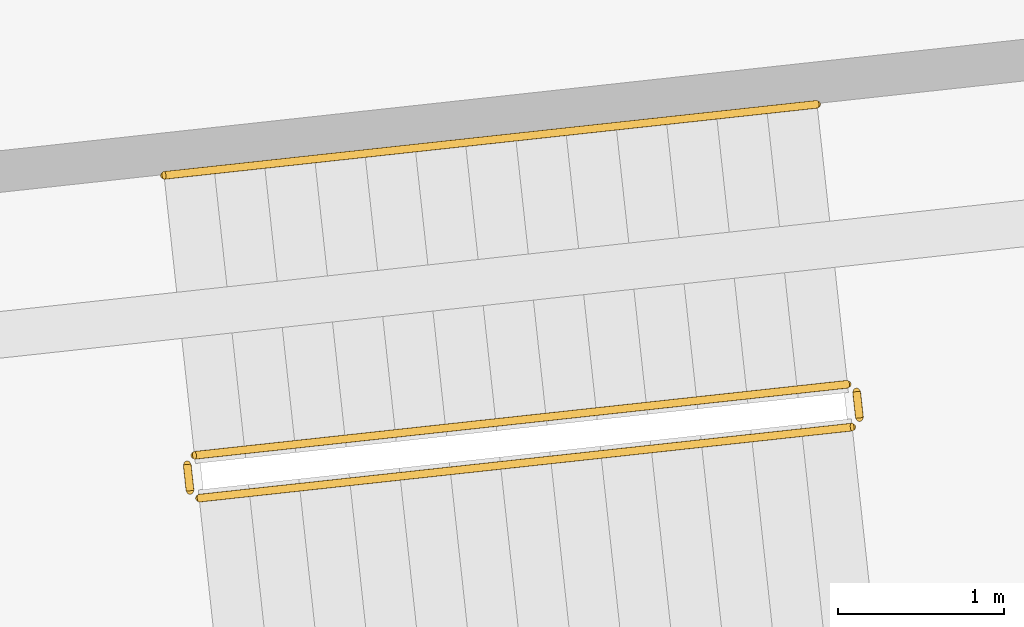
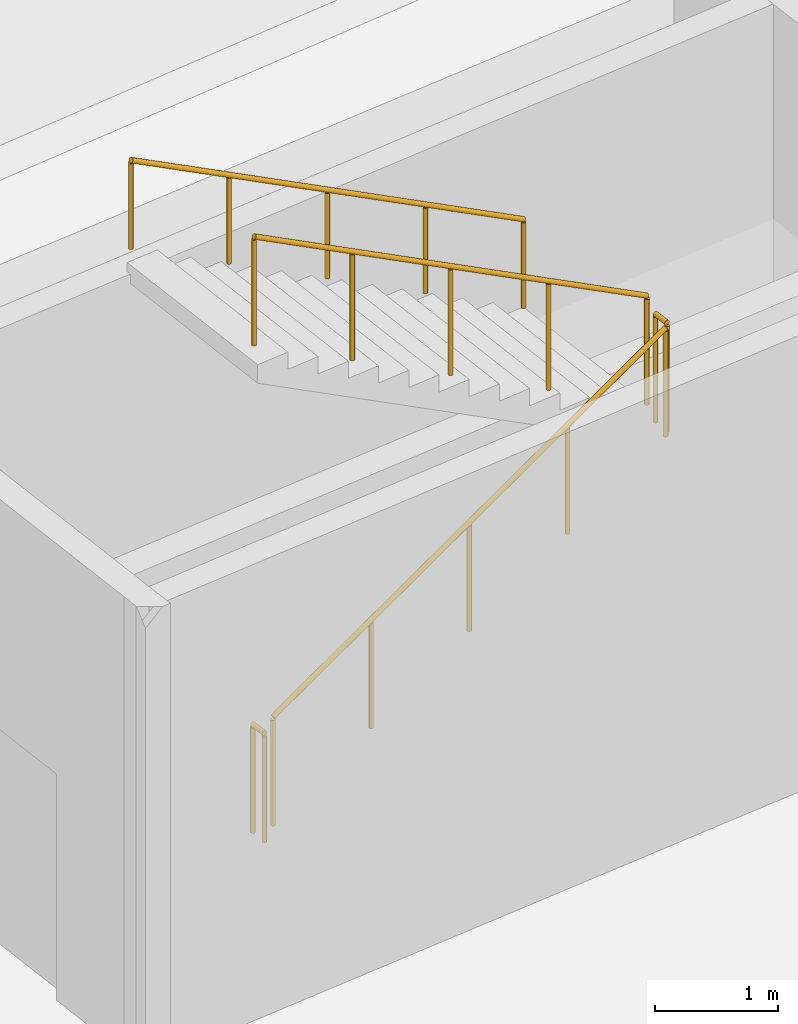
# One storey, part 118 of 152: 5 railings.
"""IFC4 building model written with IfcOpenShell, lengths in metres."""

from ifc_helpers import new_model, si_unit, direction, frame, origin, origin_2d, place, context, subcontext, project, spatial, circle, extrude, material, type_object, element, save


model = new_model("IFC4")

# Units and contexts
model_context = context("Model", 3, precision=1e-05, world=origin(), true_north=direction((0.0, 1.0)))
body_context = subcontext(model_context, "Body", "Model", "MODEL_VIEW")
ifc_project = project(units=[si_unit("LENGTHUNIT", "METRE"), si_unit("AREAUNIT", "SQUARE_METRE"), si_unit("VOLUMEUNIT", "CUBIC_METRE"), si_unit("PLANEANGLEUNIT", "RADIAN"), si_unit("MASSUNIT", "GRAM", prefix="KILO")], contexts=[model_context])

# Site, building, storey
site_placement = place(None, origin())
site = spatial("IfcSite", under=ifc_project, at=site_placement, CompositionType="ELEMENT")
building_placement = place(site_placement, origin())
building = spatial("IfcBuilding", under=site, at=building_placement, Name="Zevraka Park Crest Stadium", CompositionType="ELEMENT")
storey_placement = place(building_placement, frame((0.0, 0.0, 15.0)))
storey = spatial("IfcBuildingStorey", under=building, at=storey_placement, Name="L03", CompositionType="ELEMENT", Elevation=15.0)

# Railings
ifc_material_1 = material(Name="Powder-coated tubular steel stairwell guard", Category="steel")
railing_type_1 = type_object("IfcRailingType", Name="GR03", PredefinedType="GUARDRAIL", material=ifc_material_1)
railing_1_placement = place(storey_placement, frame((116.932861328125, 20.80615234375, 0.17138671875)))
element("IfcRailing", 1, at=railing_1_placement, inside=storey, type_object=railing_type_1, Name="L03 ST19 stair guard 1", PredefinedType="GUARDRAIL", context=body_context, shape_type="SweptSolid", body=[
    extrude(circle(Radius=0.02392578125, at=origin_2d()), frame((0.0, 0.0, 1.076171875), z_axis=(0.866632504116, 0.094360209478, 0.489943112695), x_axis=(-0.108241734952, 0.994124603264, 0.0)), (0.0, 0.0, 1.0), 4.548583984375),
    extrude(circle(Radius=0.02099609375, at=origin_2d()), origin(), (0.0, 0.0, 1.0), 1.052001953125),
    extrude(circle(Radius=0.02099609375, at=origin_2d()), frame((0.9853515625, 0.107421875, 0.55712890625)), (0.0, 0.0, 1.0), 1.052001953125),
    extrude(circle(Radius=0.02099609375, at=origin_2d()), frame((1.970947265625, 0.214599609375, 1.1142578125)), (0.0, 0.0, 1.0), 1.052001953125),
    extrude(circle(Radius=0.02099609375, at=origin_2d()), frame((2.95654296875, 0.32177734375, 1.67138671875)), (0.0, 0.0, 1.0), 1.052001953125),
    extrude(circle(Radius=0.02099609375, at=origin_2d()), frame((3.94189453125, 0.42919921875, 2.228515625)), (0.0, 0.0, 1.0), 1.052001953125),
])
railing_2_placement = place(storey_placement, frame((120.9189453125, 21.29052734375, 2.39990234375)))
element("IfcRailing", 2, at=railing_2_placement, inside=storey, type_object=railing_type_1, Name="L03 ST19 stair guard 2", PredefinedType="GUARDRAIL", context=body_context, shape_type="SweptSolid", body=[
    extrude(circle(Radius=0.02392578125, at=origin_2d()), frame((0.0, 0.0, 1.076171875), z_axis=(-0.108420072245, 0.994105169454, 0.0), x_axis=(-0.994105169454, -0.108420072245, 0.0)), (0.0, 0.0, 1.0), 0.159912109375),
    extrude(circle(Radius=0.02099609375, at=origin_2d()), origin(), (0.0, 0.0, 1.0), 1.052001953125),
    extrude(circle(Radius=0.02099609375, at=origin_2d()), frame((-0.017333984375, 0.158935546875, 0.0)), (0.0, 0.0, 1.0), 1.052001953125),
])
railing_3_placement = place(storey_placement, frame((120.846435546875, 21.493896484375, 2.571533203125)))
element("IfcRailing", 3, at=railing_3_placement, inside=storey, type_object=railing_type_1, Name="L03 ST19 stair guard 3", PredefinedType="GUARDRAIL", context=body_context, shape_type="SweptSolid", body=[
    extrude(circle(Radius=0.02392578125, at=origin_2d()), frame((0.0, 0.0, 1.076171875), z_axis=(-0.866619140956, -0.094364598935, 0.489965903911), x_axis=(0.108248360745, -0.994123881816, 0.0)), (0.0, 0.0, 1.0), 4.54833984375),
    extrude(circle(Radius=0.02099609375, at=origin_2d()), origin(), (0.0, 0.0, 1.0), 1.052001953125),
    extrude(circle(Radius=0.02099609375, at=origin_2d()), frame((-0.9853515625, -0.107421875, 0.55712890625)), (0.0, 0.0, 1.0), 1.052001953125),
    extrude(circle(Radius=0.02099609375, at=origin_2d()), frame((-1.970703125, -0.214599609375, 1.1142578125)), (0.0, 0.0, 1.0), 1.052001953125),
    extrude(circle(Radius=0.02099609375, at=origin_2d()), frame((-2.956298828125, -0.32177734375, 1.67138671875)), (0.0, 0.0, 1.0), 1.052001953125),
    extrude(circle(Radius=0.02099609375, at=origin_2d()), frame((-3.941650390625, -0.42919921875, 2.228515625)), (0.0, 0.0, 1.0), 1.052001953125),
])
railing_4_placement = place(storey_placement, frame((116.8779296875, 20.8505859375, 0.0)))
element("IfcRailing", 4, at=railing_4_placement, inside=storey, type_object=railing_type_1, Name="L03 ST19 stair guard 4", PredefinedType="GUARDRAIL", context=body_context, shape_type="SweptSolid", body=[
    extrude(circle(Radius=0.02392578125, at=origin_2d()), frame((0.0, 0.0, 1.076171875), z_axis=(-0.108420072245, 0.994105169454, 0.0), x_axis=(-0.994105169454, -0.108420072245, 0.0)), (0.0, 0.0, 1.0), 0.159912109375),
    extrude(circle(Radius=0.02099609375, at=origin_2d()), origin(), (0.0, 0.0, 1.0), 1.052001953125),
    extrude(circle(Radius=0.02099609375, at=origin_2d()), frame((-0.017333984375, 0.158935546875, 0.0)), (0.0, 0.0, 1.0), 1.052001953125),
])
ifc_material_2 = material(Name="Brushed stainless steel continuous handrail", Category="steel")
railing_type_2 = type_object("IfcRailingType", Name="HR01", PredefinedType="HANDRAIL", material=ifc_material_2)
railing_5_placement = place(storey_placement, frame((120.66259765625, 23.183837890625, 2.571533203125)))
element("IfcRailing", 5, at=railing_5_placement, inside=storey, type_object=railing_type_2, Name="L03 ST19 stair handrail 2", PredefinedType="HANDRAIL", context=body_context, shape_type="SweptSolid", body=[
    extrude(circle(Radius=0.02392578125, at=origin_2d()), frame((0.0, 0.0, 0.8759765625), z_axis=(-0.866619140956, -0.094364598935, 0.489965903911), x_axis=(0.108248360745, -0.994123881816, 0.0)), (0.0, 0.0, 1.0), 4.54833984375),
    extrude(circle(Radius=0.02099609375, at=origin_2d()), origin(), (0.0, 0.0, 1.0), 0.851806640625),
    extrude(circle(Radius=0.02099609375, at=origin_2d()), frame((-0.9853515625, -0.107421875, 0.55712890625)), (0.0, 0.0, 1.0), 0.851806640625),
    extrude(circle(Radius=0.02099609375, at=origin_2d()), frame((-1.970703125, -0.214599609375, 1.1142578125)), (0.0, 0.0, 1.0), 0.851806640625),
    extrude(circle(Radius=0.02099609375, at=origin_2d()), frame((-2.956298828125, -0.32177734375, 1.67138671875)), (0.0, 0.0, 1.0), 0.851806640625),
    extrude(circle(Radius=0.02099609375, at=origin_2d()), frame((-3.941650390625, -0.42919921875, 2.228515625)), (0.0, 0.0, 1.0), 0.851806640625),
])

save(model, "model.ifc")
